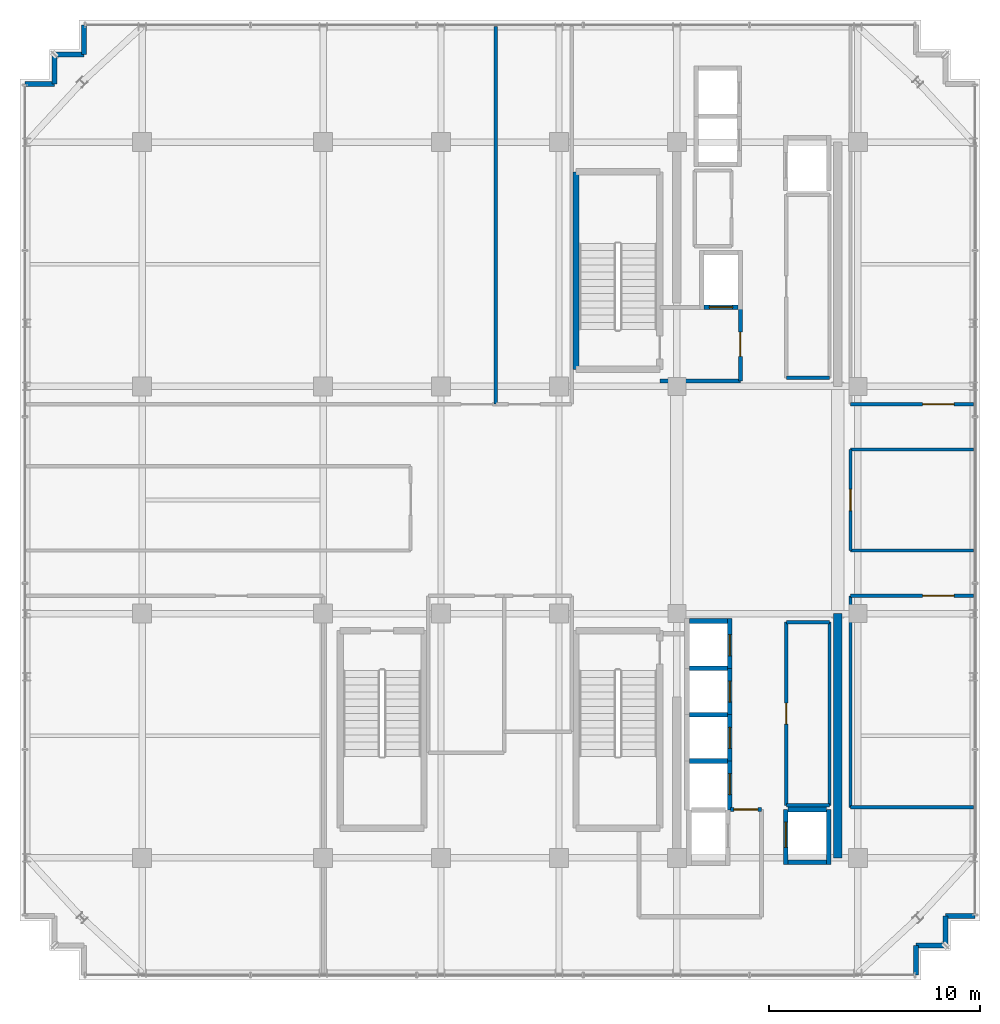
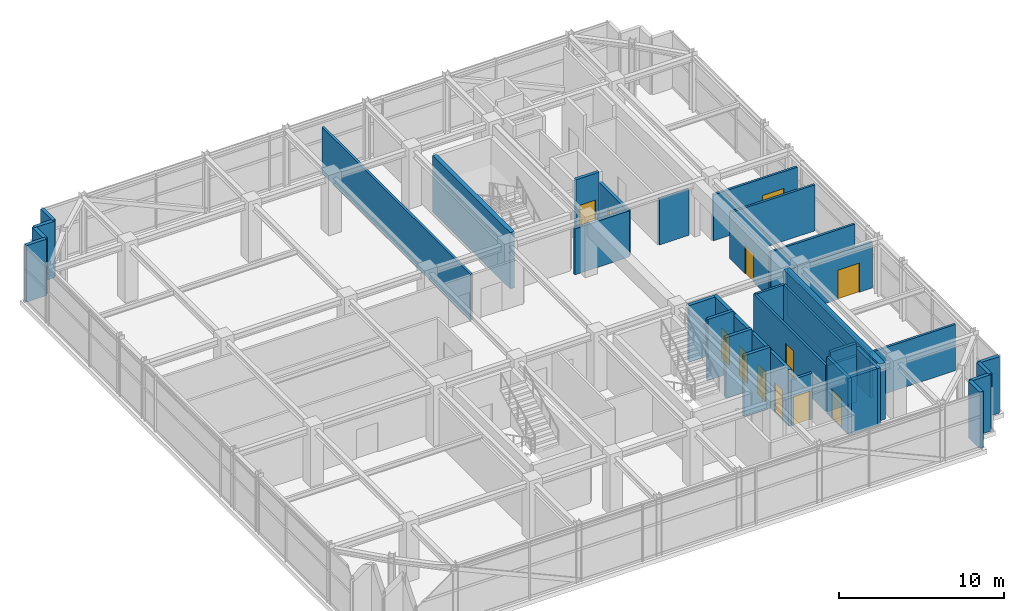
# One storey, part 23 of 26: 39 walls, 12 doors, 12 openings.
"""IFC4 building model written with IfcOpenShell, lengths in metres."""

from ifc_helpers import new_model, si_unit, direction, frame, frame_2d, origin, place, context, subcontext, project, spatial, rectangle, extrude, source, transform, mapped, material, layer, layer_set, type_object, element, fill, save


model = new_model("IFC4")

# Units and contexts
model_context = context("Model", 3, precision=1e-05, world=origin(), true_north=direction((0.0, 1.0)))
body_context = subcontext(model_context, "Body", "Model", "MODEL_VIEW")
ifc_project = project(units=[si_unit("LENGTHUNIT", "METRE"), si_unit("AREAUNIT", "SQUARE_METRE"), si_unit("VOLUMEUNIT", "CUBIC_METRE"), si_unit("PLANEANGLEUNIT", "RADIAN"), si_unit("MASSUNIT", "GRAM", prefix="KILO")], contexts=[model_context])

# Site, building, storey
site_placement = place(None, origin())
site = spatial("IfcSite", under=ifc_project, at=site_placement, CompositionType="ELEMENT")
building_placement = place(site_placement, origin())
building = spatial("IfcBuilding", under=site, at=building_placement, Name="Nahalor Promenade Grand Hotel", CompositionType="ELEMENT")
storey_placement = place(building_placement, frame((0.0, 0.0, 343.050048828125)))
storey = spatial("IfcBuildingStorey", under=building, at=storey_placement, Name="L88", CompositionType="ELEMENT", Elevation=343.050048828125)

# Walls
ifc_material_1 = material(Name="Concrete B-50 (C40/50)", Category="concrete")
ifc_layer_1 = layer(ifc_material_1, 0.39990234375)
ifc_layer_set_1 = layer_set([ifc_layer_1], Name="Concrete B-50 (C40/50)")
wall_type_1 = type_object("IfcWallType", Name="Wall-CoreShear-400", PredefinedType="SHEAR", material=ifc_layer_set_1)
shared_shape_1 = source(origin(), body_context, "Body", "SweptSolid", [
    extrude(rectangle(XDim=11.60009765625, YDim=0.39990234375, at=frame_2d((5.800048828125, 0.0))), origin(), (0.0, 0.0, 1.0), 4.169921875),
])
wall_1_placement = place(storey_placement, frame((16.050048828125, -17.0, 0.0), z_axis=(0.0, 0.0, 1.0), x_axis=(0.0, 1.0, 0.0)))
element("IfcWall", 1, at=wall_1_placement, inside=storey, type_object=wall_type_1, Name="CWALL-L88-SE", PredefinedType="SHEAR", context=body_context, shape_type="MappedRepresentation", body=[
    mapped(shared_shape_1, transform((0.0, 0.0, 0.0), scale=1.0)),
])
ifc_layer_2 = layer(ifc_material_1, 0.300048828125)
ifc_layer_set_2 = layer_set([ifc_layer_2], Name="Concrete B-50 (C40/50)")
wall_type_2 = type_object("IfcWallType", Name="Wall-ShaftShear-300", PredefinedType="SHEAR", material=ifc_layer_set_2)
shared_shape_2 = source(origin(), body_context, "Body", "SweptSolid", [
    extrude(rectangle(XDim=9.380126953125, YDim=0.300048828125, at=frame_2d((4.68994140625, 0.0))), origin(), (0.0, 0.0, 1.0), 4.169921875),
])
wall_2_placement = place(storey_placement, frame((3.610107421875, 6.2099609375, 0.0), z_axis=(0.0, 0.0, 1.0), x_axis=(0.0, 1.0, 0.0)))
element("IfcWall", 2, at=wall_2_placement, inside=storey, type_object=wall_type_2, Name="L88 Exit Stair ST1 Shaft Wall W", PredefinedType="SHEAR", context=body_context, shape_type="MappedRepresentation", body=[
    mapped(shared_shape_2, transform((0.0, 0.0, 0.0), scale=1.0)),
])
ifc_layer_3 = layer(ifc_material_1, 0.219970703125)
ifc_layer_set_3 = layer_set([ifc_layer_3], Name="Concrete B-50 (C40/50)")
wall_type_3 = type_object("IfcWallType", Name="Wall-LiftShaft-220", PredefinedType="SHEAR", material=ifc_layer_set_3)
shared_shape_3 = source(origin(), body_context, "Body", "SweptSolid", [
    extrude(rectangle(XDim=1.820068359375, YDim=0.219970703125, at=frame_2d((0.91015625, 0.0))), origin(), (0.0, 0.0, 1.0), 4.5),
])
for number, where, z_axis, x_axis, name in (
    (3, (8.989990234375, -8.0, 0.0), (0.0, 0.0, 1.0), (1.0, 0.0, 0.0), "L88 Lift PL10 Hoistway Wall N"),
    (4, (8.989990234375, -10.199951171875, 0.0), (0.0, 0.0, 1.0), (1.0, 0.0, 0.0), "L88 Lift PL11 Hoistway Wall N"),
    (5, (8.989990234375, -12.39990234375, 0.0), (0.0, 0.0, 1.0), (1.0, 0.0, 0.0), "L88 Lift PL12 Hoistway Wall N"),
    (6, (13.68994140625, -14.699951171875, 0.0), (0.0, 0.0, 1.0), (1.0, 0.0, 0.0), "L88 Lift SV2 Hoistway Wall N"),
):
    element("IfcWall", number, at=place(storey_placement, frame(where, z_axis=z_axis, x_axis=x_axis)), inside=storey, type_object=wall_type_3, Name=name, PredefinedType="SHEAR", context=body_context, shape_type="MappedRepresentation", body=[
        mapped(shared_shape_3, transform((0.0, 0.0, 0.0), scale=1.0)),
    ])

# Wall, opening, door
shared_shape_4 = source(origin(), body_context, "Body", "SweptSolid", [
    extrude(rectangle(XDim=2.360107421875, YDim=0.219970703125, at=frame_2d((1.18017578125, 0.0))), origin(), (0.0, 0.0, 1.0), 4.169921875),
])
wall_3_placement = place(storey_placement, frame((10.919921875, -8.0, 0.0), z_axis=(0.0, 0.0, 1.0), x_axis=(0.0, 1.0, 0.0)))
wall_3 = element("IfcWall", 7, at=wall_3_placement, inside=storey, type_object=wall_type_3, Name="L88 Lift PL9 Hoistway Wall E", PredefinedType="SHEAR", context=body_context, shape_type="MappedRepresentation", body=[
    mapped(shared_shape_4, transform((0.0, 0.0, 0.0), scale=1.0)),
])
opening_1_placement = place(wall_3_placement, frame((0.60009765625, 0.0, 0.0)))
opening_1 = element("IfcOpeningElement", 8, at=opening_1_placement, cuts=wall_3, Name="Opening LD-01", PredefinedType="OPENING", context=body_context, shape_type="SweptSolid", body=[
    extrude(rectangle(XDim=1.0, YDim=2.199951171875, at=frame_2d((0.5, 1.10009765625))), frame((0.0, 0.119873046875, 0.0), z_axis=(0.0, -1.0, 0.0), x_axis=(1.0, 0.0, 0.0)), (0.0, 0.0, 1.0), 0.239990234375),
])
ifc_material_2 = material(Name="Steel S355JR", Category="steel")
door_type_1 = type_object("IfcDoorType", Name="Door-LiftLanding-1000", OperationType="DOUBLE_DOOR_SLIDING", PredefinedType="DOOR", material=ifc_material_2)
shared_shape_5 = source(origin(), body_context, "Body", "SweptSolid", [
    extrude(rectangle(XDim=1.0, YDim=2.199951171875, at=frame_2d((0.5, 1.10009765625))), frame((0.0, 0.02490234375, 0.0), z_axis=(0.0, -1.0, 0.0), x_axis=(1.0, 0.0, 0.0)), (0.0, 0.0, 1.0), 0.050048828125),
])
door_1_placement = place(opening_1_placement, frame((1.0, 0.0, 0.0), z_axis=(0.0, 0.0, 1.0), x_axis=(-1.0, 0.0, 0.0)))
door_1 = element("IfcDoor", 9, at=door_1_placement, inside=storey, type_object=door_type_1, Name="DR-LIFT-PL9-L88", OperationType="DOUBLE_DOOR_SLIDING", OverallHeight=2.199951171875, OverallWidth=1.0, PredefinedType="DOOR", context=body_context, shape_type="MappedRepresentation", body=[
    mapped(shared_shape_5, transform((0.0, 0.0, 0.0), scale=1.0)),
])
fill(opening_1, door_1)

# Walls
shared_shape_6 = source(origin(), body_context, "Body", "SweptSolid", [
    extrude(rectangle(XDim=1.820068359375, YDim=0.219970703125, at=frame_2d((0.91015625, 0.0))), origin(), (0.0, 0.0, 1.0), 4.169921875),
])
for number, where, z_axis, x_axis, name in (
    (10, (8.989990234375, -5.75, 0.0), (0.0, 0.0, 1.0), (1.0, 0.0, 0.0), "L88 Lift PL9 Hoistway Wall N"),
    (11, (13.68994140625, -17.199951171875, 0.0), (0.0, 0.0, 1.0), (1.0, 0.0, 0.0), "L88 Lift SV2 Hoistway Wall S"),
):
    element("IfcWall", number, at=place(storey_placement, frame(where, z_axis=z_axis, x_axis=x_axis)), inside=storey, type_object=wall_type_3, Name=name, PredefinedType="SHEAR", context=body_context, shape_type="MappedRepresentation", body=[
        mapped(shared_shape_6, transform((0.0, 0.0, 0.0), scale=1.0)),
    ])

# Wall, opening, door
shared_shape_7 = source(origin(), body_context, "Body", "SweptSolid", [
    extrude(rectangle(XDim=2.199951171875, YDim=0.219970703125, at=frame_2d((1.10009765625, 0.0))), origin(), (0.0, 0.0, 1.0), 4.169921875),
])
wall_4_placement = place(storey_placement, frame((10.919921875, -10.199951171875, 0.0), z_axis=(0.0, 0.0, 1.0), x_axis=(0.0, 1.0, 0.0)))
wall_4 = element("IfcWall", 12, at=wall_4_placement, inside=storey, type_object=wall_type_3, Name="L88 Lift PL10 Hoistway Wall E", PredefinedType="SHEAR", context=body_context, shape_type="MappedRepresentation", body=[
    mapped(shared_shape_7, transform((0.0, 0.0, 0.0), scale=1.0)),
])
opening_2_placement = place(wall_4_placement, frame((0.60009765625, 0.0, 0.0)))
opening_2 = element("IfcOpeningElement", 13, at=opening_2_placement, cuts=wall_4, Name="Opening LD-01", PredefinedType="OPENING", context=body_context, shape_type="SweptSolid", body=[
    extrude(rectangle(XDim=1.0, YDim=2.199951171875, at=frame_2d((0.5, 1.10009765625))), frame((0.0, 0.119873046875, 0.0), z_axis=(0.0, -1.0, 0.0), x_axis=(1.0, 0.0, 0.0)), (0.0, 0.0, 1.0), 0.239990234375),
])
door_2_placement = place(opening_2_placement, frame((1.0, 0.0, 0.0), z_axis=(0.0, 0.0, 1.0), x_axis=(-1.0, 0.0, 0.0)))
door_2 = element("IfcDoor", 14, at=door_2_placement, inside=storey, type_object=door_type_1, Name="DR-LIFT-PL10-L88", OperationType="DOUBLE_DOOR_SLIDING", OverallHeight=2.199951171875, OverallWidth=1.0, PredefinedType="DOOR", context=body_context, shape_type="MappedRepresentation", body=[
    mapped(shared_shape_5, transform((0.0, 0.0, 0.0), scale=1.0)),
])
fill(opening_2, door_2)

wall_5_placement = place(storey_placement, frame((10.919921875, -12.39990234375, 0.0), z_axis=(0.0, 0.0, 1.0), x_axis=(0.0, 1.0, 0.0)))
wall_5 = element("IfcWall", 15, at=wall_5_placement, inside=storey, type_object=wall_type_3, Name="L88 Lift PL11 Hoistway Wall E", PredefinedType="SHEAR", context=body_context, shape_type="MappedRepresentation", body=[
    mapped(shared_shape_7, transform((0.0, 0.0, 0.0), scale=1.0)),
])
opening_3_placement = place(wall_5_placement, frame((0.60009765625, 0.0, 0.0)))
opening_3 = element("IfcOpeningElement", 16, at=opening_3_placement, cuts=wall_5, Name="Opening LD-01", PredefinedType="OPENING", context=body_context, shape_type="SweptSolid", body=[
    extrude(rectangle(XDim=1.0, YDim=2.199951171875, at=frame_2d((0.5, 1.10009765625))), frame((0.0, 0.119873046875, 0.0), z_axis=(0.0, -1.0, 0.0), x_axis=(1.0, 0.0, 0.0)), (0.0, 0.0, 1.0), 0.239990234375),
])
door_3_placement = place(opening_3_placement, frame((1.0, 0.0, 0.0), z_axis=(0.0, 0.0, 1.0), x_axis=(-1.0, 0.0, 0.0)))
door_3 = element("IfcDoor", 17, at=door_3_placement, inside=storey, type_object=door_type_1, Name="DR-LIFT-PL11-L88", OperationType="DOUBLE_DOOR_SLIDING", OverallHeight=2.199951171875, OverallWidth=1.0, PredefinedType="DOOR", context=body_context, shape_type="MappedRepresentation", body=[
    mapped(shared_shape_5, transform((0.0, 0.0, 0.0), scale=1.0)),
])
fill(opening_3, door_3)

shared_shape_8 = source(origin(), body_context, "Body", "SweptSolid", [
    extrude(rectangle(XDim=2.3251953125, YDim=0.219970703125, at=frame_2d((1.16259765625, 0.0))), origin(), (0.0, 0.0, 1.0), 4.169921875),
])
wall_6_placement = place(storey_placement, frame((10.919921875, -14.72509765625, 0.0), z_axis=(0.0, 0.0, 1.0), x_axis=(0.0, 1.0, 0.0)))
wall_6 = element("IfcWall", 18, at=wall_6_placement, inside=storey, type_object=wall_type_3, Name="L88 Lift PL12 Hoistway Wall E", PredefinedType="SHEAR", context=body_context, shape_type="MappedRepresentation", body=[
    mapped(shared_shape_8, transform((0.0, 0.0, 0.0), scale=1.0)),
])
opening_4_placement = place(wall_6_placement, frame((0.72509765625, 0.0, 0.0)))
opening_4 = element("IfcOpeningElement", 19, at=opening_4_placement, cuts=wall_6, Name="Opening LD-01", PredefinedType="OPENING", context=body_context, shape_type="SweptSolid", body=[
    extrude(rectangle(XDim=1.0, YDim=2.199951171875, at=frame_2d((0.5, 1.10009765625))), frame((0.0, 0.119873046875, 0.0), z_axis=(0.0, -1.0, 0.0), x_axis=(1.0, 0.0, 0.0)), (0.0, 0.0, 1.0), 0.239990234375),
])
door_4_placement = place(opening_4_placement, frame((1.0, 0.0, 0.0), z_axis=(0.0, 0.0, 1.0), x_axis=(-1.0, 0.0, 0.0)))
door_4 = element("IfcDoor", 20, at=door_4_placement, inside=storey, type_object=door_type_1, Name="DR-LIFT-PL12-L88", OperationType="DOUBLE_DOOR_SLIDING", OverallHeight=2.199951171875, OverallWidth=1.0, PredefinedType="DOOR", context=body_context, shape_type="MappedRepresentation", body=[
    mapped(shared_shape_5, transform((0.0, 0.0, 0.0), scale=1.0)),
])
fill(opening_4, door_4)

shared_shape_9 = source(origin(), body_context, "Body", "SweptSolid", [
    extrude(rectangle(XDim=1.6201171875, YDim=0.219970703125, at=frame_2d((0.81005859375, 0.0))), origin(), (0.0, 0.0, 1.0), 4.169921875),
])
wall_7_placement = place(storey_placement, frame((9.68994140625, 9.14990234375, 0.0), z_axis=(0.0, 0.0, 1.0), x_axis=(1.0, 0.0, 0.0)))
wall_7 = element("IfcWall", 21, at=wall_7_placement, inside=storey, type_object=wall_type_3, Name="L88 Lift FL1 Hoistway Wall S", PredefinedType="SHEAR", context=body_context, shape_type="MappedRepresentation", body=[
    mapped(shared_shape_9, transform((0.0, 0.0, 0.0), scale=1.0)),
])
opening_5_placement = place(wall_7_placement, frame((0.260009765625, 0.0, 0.0)))
opening_5 = element("IfcOpeningElement", 22, at=opening_5_placement, cuts=wall_7, Name="Opening LD-02", PredefinedType="OPENING", context=body_context, shape_type="SweptSolid", body=[
    extrude(rectangle(XDim=1.10009765625, YDim=2.199951171875, at=frame_2d((0.550048828125, 1.10009765625))), frame((0.0, 0.119873046875, 0.0), z_axis=(0.0, -1.0, 0.0), x_axis=(1.0, 0.0, 0.0)), (0.0, 0.0, 1.0), 0.239990234375),
])
door_type_2 = type_object("IfcDoorType", Name="Door-LiftFF-1100", OperationType="DOUBLE_DOOR_SLIDING", PredefinedType="DOOR", material=ifc_material_2)
shared_shape_10 = source(origin(), body_context, "Body", "SweptSolid", [
    extrude(rectangle(XDim=1.10009765625, YDim=2.199951171875, at=frame_2d((0.550048828125, 1.10009765625))), frame((0.0, 0.02490234375, 0.0), z_axis=(0.0, -1.0, 0.0), x_axis=(1.0, 0.0, 0.0)), (0.0, 0.0, 1.0), 0.050048828125),
])
door_5_placement = place(opening_5_placement, frame((1.10009765625, 0.0, 0.0), z_axis=(0.0, 0.0, 1.0), x_axis=(-1.0, 0.0, 0.0)))
door_5 = element("IfcDoor", 23, at=door_5_placement, inside=storey, type_object=door_type_2, Name="DR-LIFT-FL1-L88", OperationType="DOUBLE_DOOR_SLIDING", OverallHeight=2.199951171875, OverallWidth=1.10009765625, PredefinedType="DOOR", context=body_context, shape_type="MappedRepresentation", body=[
    mapped(shared_shape_10, transform((0.0, 0.0, 0.0), scale=1.0)),
])
fill(opening_5, door_5)

shared_shape_11 = source(origin(), body_context, "Body", "SweptSolid", [
    extrude(rectangle(XDim=2.610107421875, YDim=0.219970703125, at=frame_2d((1.30517578125, 0.0))), origin(), (0.0, 0.0, 1.0), 4.169921875),
])
wall_8_placement = place(storey_placement, frame((13.580078125, -17.31005859375, 0.0), z_axis=(0.0, 0.0, 1.0), x_axis=(0.0, 1.0, 0.0)))
wall_8 = element("IfcWall", 24, at=wall_8_placement, inside=storey, type_object=wall_type_3, Name="L88 Lift SV2 Hoistway Wall W", PredefinedType="SHEAR", context=body_context, shape_type="MappedRepresentation", body=[
    mapped(shared_shape_11, transform((0.0, 0.0, 0.0), scale=1.0)),
])
opening_6_placement = place(wall_8_placement, frame((0.81005859375, 0.0, 0.0)))
opening_6 = element("IfcOpeningElement", 25, at=opening_6_placement, cuts=wall_8, Name="Opening LD-03", PredefinedType="OPENING", context=body_context, shape_type="SweptSolid", body=[
    extrude(rectangle(XDim=1.199951171875, YDim=2.199951171875, at=frame_2d((0.60009765625, 1.10009765625))), frame((0.0, 0.119873046875, 0.0), z_axis=(0.0, -1.0, 0.0), x_axis=(1.0, 0.0, 0.0)), (0.0, 0.0, 1.0), 0.239990234375),
])
door_type_3 = type_object("IfcDoorType", Name="Door-LiftService-1200", OperationType="DOUBLE_DOOR_SLIDING", PredefinedType="DOOR", material=ifc_material_2)
shared_shape_12 = source(origin(), body_context, "Body", "SweptSolid", [
    extrude(rectangle(XDim=1.199951171875, YDim=2.199951171875, at=frame_2d((0.60009765625, 1.10009765625))), frame((0.0, 0.02490234375, 0.0), z_axis=(0.0, -1.0, 0.0), x_axis=(1.0, 0.0, 0.0)), (0.0, 0.0, 1.0), 0.050048828125),
])
door_6_placement = place(opening_6_placement, origin())
door_6 = element("IfcDoor", 26, at=door_6_placement, inside=storey, type_object=door_type_3, Name="DR-LIFT-SV2-L88", OperationType="DOUBLE_DOOR_SLIDING", OverallHeight=2.199951171875, OverallWidth=1.199951171875, PredefinedType="DOOR", context=body_context, shape_type="MappedRepresentation", body=[
    mapped(shared_shape_12, transform((0.0, 0.0, 0.0), scale=1.0)),
])
fill(opening_6, door_6)

# Walls
wall_9_placement = place(storey_placement, frame((15.6201171875, -17.31005859375, 0.0), z_axis=(0.0, 0.0, 1.0), x_axis=(0.0, 1.0, 0.0)))
element("IfcWall", 27, at=wall_9_placement, inside=storey, type_object=wall_type_3, Name="L88 Lift SV2 Hoistway Wall E", PredefinedType="SHEAR", context=body_context, shape_type="MappedRepresentation", body=[
    mapped(shared_shape_11, transform((0.0, 0.0, 0.0), scale=1.0)),
])
ifc_material_3 = material(Name="Concrete B-40 (C32/40)", Category="concrete")
ifc_layer_4 = layer(ifc_material_3, 0.25)
ifc_layer_set_4 = layer_set([ifc_layer_4], Name="Concrete B-40 (C32/40)")
wall_type_4 = type_object("IfcWallType", Name="Wall-BronzePier-250", PredefinedType="STANDARD", material=ifc_layer_set_4)
shared_shape_13 = source(origin(), body_context, "Body", "SweptSolid", [
    extrude(rectangle(XDim=1.400146484375, YDim=0.25, at=frame_2d((0.7001953125, 0.0))), origin(), (0.0, 0.0, 1.0), 4.169921875),
])
for number, where, z_axis, x_axis, name in (
    (28, (19.760009765625, -22.56005859375, 0.0), (0.0, 0.0, 1.0), (0.0, 1.0, 0.0), "W-L88-SR-01"),
    (29, (21.159912109375, -19.760009765625, 0.0), (0.0, 0.0, 1.0), (1.0, 0.0, 0.0), "W-L88-SR-04"),
    (30, (-19.760009765625, 21.159912109375, 0.0), (0.0, 0.0, 1.0), (0.0, 1.0, 0.0), "W-L88-SR-09"),
    (31, (-22.56005859375, 19.760009765625, 0.0), (0.0, 0.0, 1.0), (1.0, 0.0, 0.0), "W-L88-SR-12"),
):
    element("IfcWall", number, at=place(storey_placement, frame(where, z_axis=z_axis, x_axis=x_axis)), inside=storey, type_object=wall_type_4, Name=name, PredefinedType="STANDARD", context=body_context, shape_type="MappedRepresentation", body=[
        mapped(shared_shape_13, transform((0.0, 0.0, 0.0), scale=1.0)),
    ])
shared_shape_14 = source(origin(), body_context, "Body", "SweptSolid", [
    extrude(rectangle(XDim=1.39990234375, YDim=0.25, at=frame_2d((0.699951171875, 0.0))), origin(), (0.0, 0.0, 1.0), 4.169921875),
])
for number, where, z_axis, x_axis, name in (
    (32, (19.760009765625, -21.159912109375, 0.0), (0.0, 0.0, 1.0), (1.0, 0.0, 0.0), "W-L88-SR-02"),
    (33, (21.159912109375, -21.159912109375, 0.0), (0.0, 0.0, 1.0), (0.0, 1.0, 0.0), "W-L88-SR-03"),
    (34, (-21.159912109375, 21.159912109375, 0.0), (0.0, 0.0, 1.0), (1.0, 0.0, 0.0), "W-L88-SR-10"),
    (35, (-21.159912109375, 19.760009765625, 0.0), (0.0, 0.0, 1.0), (0.0, 1.0, 0.0), "W-L88-SR-11"),
):
    element("IfcWall", number, at=place(storey_placement, frame(where, z_axis=z_axis, x_axis=x_axis)), inside=storey, type_object=wall_type_4, Name=name, PredefinedType="STANDARD", context=body_context, shape_type="MappedRepresentation", body=[
        mapped(shared_shape_14, transform((0.0, 0.0, 0.0), scale=1.0)),
    ])
ifc_layer_5 = layer(ifc_material_3, 0.199951171875)
ifc_layer_set_5 = layer_set([ifc_layer_5], Name="Concrete B-40 (C32/40)")
wall_type_5 = type_object("IfcWallType", Name="Wall-PartFire-200", PredefinedType="PARTITIONING", material=ifc_layer_set_5)
shared_shape_15 = source(origin(), body_context, "Body", "SweptSolid", [
    extrude(rectangle(XDim=3.81982421875, YDim=0.199951171875, at=frame_2d((1.909912109375, 0.0))), origin(), (0.0, 0.0, 1.0), 3.39990234375),
])
wall_10_placement = place(storey_placement, frame((7.60009765625, 5.64990234375, 0.0), z_axis=(0.0, 0.0, 1.0), x_axis=(1.0, 0.0, 0.0)))
element("IfcWall", 36, at=wall_10_placement, inside=storey, type_object=wall_type_5, Name="W-L88-FF1-S", PredefinedType="PARTITIONING", context=body_context, shape_type="MappedRepresentation", body=[
    mapped(shared_shape_15, transform((0.0, 0.0, 0.0), scale=1.0)),
])

# Wall, opening, door
shared_shape_16 = source(origin(), body_context, "Body", "SweptSolid", [
    extrude(rectangle(XDim=3.5, YDim=0.199951171875, at=frame_2d((1.75, 0.0))), origin(), (0.0, 0.0, 1.0), 3.39990234375),
])
wall_11_placement = place(storey_placement, frame((11.419921875, 5.64990234375, 0.0), z_axis=(0.0, 0.0, 1.0), x_axis=(0.0, 1.0, 0.0)))
wall_11 = element("IfcWall", 37, at=wall_11_placement, inside=storey, type_object=wall_type_5, Name="W-L88-FF1-E", PredefinedType="PARTITIONING", context=body_context, shape_type="MappedRepresentation", body=[
    mapped(shared_shape_16, transform((0.0, 0.0, 0.0), scale=1.0)),
])
opening_7_placement = place(wall_11_placement, frame((1.175048828125, 0.0, 0.0)))
opening_7 = element("IfcOpeningElement", 38, at=opening_7_placement, cuts=wall_11, Name="Opening D-FF1", PredefinedType="OPENING", context=body_context, shape_type="SweptSolid", body=[
    extrude(rectangle(XDim=1.14990234375, YDim=2.14990234375, at=frame_2d((0.574951171875, 1.074951171875))), frame((0.0, 0.10986328125, 0.0), z_axis=(0.0, -1.0, 0.0), x_axis=(1.0, 0.0, 0.0)), (0.0, 0.0, 1.0), 0.219970703125),
])
door_type_4 = type_object("IfcDoorType", Name="Door-FFLobby-1150", OperationType="NOTDEFINED", PredefinedType="DOOR", material=ifc_material_2)
shared_shape_17 = source(origin(), body_context, "Body", "SweptSolid", [
    extrude(rectangle(XDim=1.14990234375, YDim=2.14990234375, at=frame_2d((0.574951171875, 1.074951171875))), frame((0.0, 0.02490234375, 0.0), z_axis=(0.0, -1.0, 0.0), x_axis=(1.0, 0.0, 0.0)), (0.0, 0.0, 1.0), 0.050048828125),
])
door_7_placement = place(opening_7_placement, frame((1.14990234375, 0.0, 0.0), z_axis=(0.0, 0.0, 1.0), x_axis=(-1.0, 0.0, 0.0)))
door_7 = element("IfcDoor", 39, at=door_7_placement, inside=storey, type_object=door_type_4, Name="DR-L88-FFL1", OperationType="SINGLE_SWING_LEFT", OverallHeight=2.14990234375, OverallWidth=1.14990234375, PredefinedType="DOOR", context=body_context, shape_type="MappedRepresentation", body=[
    mapped(shared_shape_17, transform((0.0, 0.0, 0.0), scale=1.0)),
])
fill(opening_7, door_7)

shared_shape_18 = source(origin(), body_context, "Body", "SweptSolid", [
    extrude(rectangle(XDim=1.4599609375, YDim=0.199951171875, at=frame_2d((0.72998046875, 0.0))), origin(), (0.0, 0.0, 1.0), 3.39990234375),
])
wall_12_placement = place(storey_placement, frame((10.9599609375, -14.699951171875, 0.0), z_axis=(0.0, 0.0, 1.0), x_axis=(1.0, 0.0, 0.0)))
wall_12 = element("IfcWall", 40, at=wall_12_placement, inside=storey, type_object=wall_type_5, Name="W-L88-FF2-N1", PredefinedType="PARTITIONING", context=body_context, shape_type="MappedRepresentation", body=[
    mapped(shared_shape_18, transform((0.0, 0.0, 0.0), scale=1.0)),
])
opening_8_placement = place(wall_12_placement, frame((0.14501953125, 0.0, 0.0)))
opening_8 = element("IfcOpeningElement", 41, at=opening_8_placement, cuts=wall_12, Name="Opening D-FF1", PredefinedType="OPENING", context=body_context, shape_type="SweptSolid", body=[
    extrude(rectangle(XDim=1.14990234375, YDim=2.14990234375, at=frame_2d((0.574951171875, 1.074951171875))), frame((0.0, 0.10986328125, 0.0), z_axis=(0.0, -1.0, 0.0), x_axis=(1.0, 0.0, 0.0)), (0.0, 0.0, 1.0), 0.219970703125),
])
door_8_placement = place(opening_8_placement, origin())
door_8 = element("IfcDoor", 42, at=door_8_placement, inside=storey, type_object=door_type_4, Name="DR-L88-FFL2", OperationType="SINGLE_SWING_RIGHT", OverallHeight=2.14990234375, OverallWidth=1.14990234375, PredefinedType="DOOR", context=body_context, shape_type="MappedRepresentation", body=[
    mapped(shared_shape_17, transform((0.0, 0.0, 0.0), scale=1.0)),
])
fill(opening_8, door_8)

ifc_material_4 = material(Name="Acoustic Mineral Gypsum", Category="gypsum")
ifc_layer_6 = layer(ifc_material_4, 0.159912109375)
ifc_layer_set_6 = layer_set([ifc_layer_6], Name="Acoustic Mineral Gypsum")
wall_type_6 = type_object("IfcWallType", Name="Wall-PartCorridor-160", PredefinedType="PARTITIONING", material=ifc_layer_set_6)
shared_shape_19 = source(origin(), body_context, "Body", "SweptSolid", [
    extrude(rectangle(XDim=4.7998046875, YDim=0.159912109375, at=frame_2d((2.39990234375, 0.0))), origin(), (0.0, 0.0, 1.0), 3.39990234375),
])
wall_13_placement = place(storey_placement, frame((16.64990234375, -2.39990234375, 0.0), z_axis=(0.0, 0.0, 1.0), x_axis=(0.0, 1.0, 0.0)))
wall_13 = element("IfcWall", 43, at=wall_13_placement, inside=storey, type_object=wall_type_6, Name="W-L88-SK02-W", PredefinedType="PARTITIONING", context=body_context, shape_type="MappedRepresentation", body=[
    mapped(shared_shape_19, transform((0.0, 0.0, 0.0), scale=1.0)),
])
opening_9_placement = place(wall_13_placement, frame((1.89990234375, 0.0, 0.0)))
opening_9 = element("IfcOpeningElement", 44, at=opening_9_placement, cuts=wall_13, Name="Opening D-04", PredefinedType="OPENING", context=body_context, shape_type="SweptSolid", body=[
    extrude(rectangle(XDim=1.0, YDim=2.10009765625, at=frame_2d((0.5, 1.050048828125))), frame((0.0, 0.08984375, 0.0), z_axis=(0.0, -1.0, 0.0), x_axis=(1.0, 0.0, 0.0)), (0.0, 0.0, 1.0), 0.179931640625),
])
door_type_5 = type_object("IfcDoorType", Name="Door-ServiceFire-1000", OperationType="NOTDEFINED", PredefinedType="DOOR", material=ifc_material_2)
shared_shape_20 = source(origin(), body_context, "Body", "SweptSolid", [
    extrude(rectangle(XDim=1.0, YDim=2.10009765625, at=frame_2d((0.5, 1.050048828125))), frame((0.0, 0.02490234375, 0.0), z_axis=(0.0, -1.0, 0.0), x_axis=(1.0, 0.0, 0.0)), (0.0, 0.0, 1.0), 0.050048828125),
])
door_9_placement = place(opening_9_placement, frame((1.0, 0.0, 0.0), z_axis=(0.0, 0.0, 1.0), x_axis=(-1.0, 0.0, 0.0)))
door_9 = element("IfcDoor", 45, at=door_9_placement, inside=storey, type_object=door_type_5, Name="DR-L88-SK02", OperationType="SINGLE_SWING_RIGHT", OverallHeight=2.10009765625, OverallWidth=1.0, PredefinedType="DOOR", context=body_context, shape_type="MappedRepresentation", body=[
    mapped(shared_shape_20, transform((0.0, 0.0, 0.0), scale=1.0)),
])
fill(opening_9, door_9)

# Walls
shared_shape_21 = source(origin(), body_context, "Body", "SweptSolid", [
    extrude(rectangle(XDim=2.0498046875, YDim=0.159912109375, at=frame_2d((1.02490234375, 0.0))), origin(), (0.0, 0.0, 1.0), 3.39990234375),
])
for number, where, z_axis, x_axis, name in (
    (46, (13.60009765625, 5.800048828125, 0.0), (0.0, 0.0, 1.0), (1.0, 0.0, 0.0), "W-L88-FRB1-S"),
    (47, (13.60009765625, -14.5, 0.0), (0.0, 0.0, 1.0), (1.0, 0.0, 0.0), "W-L88-FRB2-S"),
    (48, (13.60009765625, -5.800048828125, 0.0), (0.0, 0.0, 1.0), (1.0, 0.0, 0.0), "W-L88-FRB2-N"),
):
    element("IfcWall", number, at=place(storey_placement, frame(where, z_axis=z_axis, x_axis=x_axis)), inside=storey, type_object=wall_type_6, Name=name, PredefinedType="PARTITIONING", context=body_context, shape_type="MappedRepresentation", body=[
        mapped(shared_shape_21, transform((0.0, 0.0, 0.0), scale=1.0)),
    ])
shared_shape_22 = source(origin(), body_context, "Body", "SweptSolid", [
    extrude(rectangle(XDim=5.85009765625, YDim=0.159912109375, at=frame_2d((2.925048828125, 0.0))), origin(), (0.0, 0.0, 1.0), 3.39990234375),
])
for number, where, z_axis, x_axis, name in (
    (49, (16.64990234375, -2.39990234375, 0.0), (0.0, 0.0, 1.0), (1.0, 0.0, 0.0), "W-L88-SK02-S"),
    (50, (16.64990234375, 2.39990234375, 0.0), (0.0, 0.0, 1.0), (1.0, 0.0, 0.0), "W-L88-SK02-N"),
):
    element("IfcWall", number, at=place(storey_placement, frame(where, z_axis=z_axis, x_axis=x_axis)), inside=storey, type_object=wall_type_6, Name=name, PredefinedType="PARTITIONING", context=body_context, shape_type="MappedRepresentation", body=[
        mapped(shared_shape_22, transform((0.0, 0.0, 0.0), scale=1.0)),
    ])

# Wall, opening, door
wall_14_placement = place(storey_placement, frame((16.64990234375, 4.550048828125, 0.0), z_axis=(0.0, 0.0, 1.0), x_axis=(1.0, 0.0, 0.0)))
wall_14 = element("IfcWall", 51, at=wall_14_placement, inside=storey, type_object=wall_type_6, Name="W-L88-SK06-S", PredefinedType="PARTITIONING", context=body_context, shape_type="MappedRepresentation", body=[
    mapped(shared_shape_22, transform((0.0, 0.0, 0.0), scale=1.0)),
])
opening_10_placement = place(wall_14_placement, frame((3.419921875, 0.0, 0.0)))
opening_10 = element("IfcOpeningElement", 52, at=opening_10_placement, cuts=wall_14, Name="Opening D-02", PredefinedType="OPENING", context=body_context, shape_type="SweptSolid", body=[
    extrude(rectangle(XDim=1.5, YDim=2.14990234375, at=frame_2d((0.75, 1.074951171875))), frame((0.0, 0.08984375, 0.0), z_axis=(0.0, -1.0, 0.0), x_axis=(1.0, 0.0, 0.0)), (0.0, 0.0, 1.0), 0.179931640625),
])
ifc_material_5 = material(Name="Fire-Rated Timber Composite", Category="wood")
door_type_6 = type_object("IfcDoorType", Name="Door-SuiteDouble-1500", OperationType="DOUBLE_DOOR_SINGLE_SWING", PredefinedType="DOOR", material=ifc_material_5)
shared_shape_23 = source(origin(), body_context, "Body", "SweptSolid", [
    extrude(rectangle(XDim=1.5, YDim=2.14990234375, at=frame_2d((0.75, 1.074951171875))), frame((0.0, 0.02490234375, 0.0), z_axis=(0.0, -1.0, 0.0), x_axis=(1.0, 0.0, 0.0)), (0.0, 0.0, 1.0), 0.050048828125),
])
door_10_placement = place(opening_10_placement, origin())
door_10 = element("IfcDoor", 53, at=door_10_placement, inside=storey, type_object=door_type_6, Name="DR-L88-SK06", OperationType="DOUBLE_DOOR_SINGLE_SWING", OverallHeight=2.14990234375, OverallWidth=1.5, PredefinedType="DOOR", context=body_context, shape_type="MappedRepresentation", body=[
    mapped(shared_shape_23, transform((0.0, 0.0, 0.0), scale=1.0)),
])
fill(opening_10, door_10)

# Wall
wall_15_placement = place(storey_placement, frame((16.64990234375, -14.60009765625, 0.0), z_axis=(0.0, 0.0, 1.0), x_axis=(1.0, 0.0, 0.0)))
element("IfcWall", 54, at=wall_15_placement, inside=storey, type_object=wall_type_6, Name="W-L88-SK07-S", PredefinedType="PARTITIONING", context=body_context, shape_type="MappedRepresentation", body=[
    mapped(shared_shape_22, transform((0.0, 0.0, 0.0), scale=1.0)),
])

# Wall, opening, door
wall_16_placement = place(storey_placement, frame((16.64990234375, -4.550048828125, 0.0), z_axis=(0.0, 0.0, 1.0), x_axis=(1.0, 0.0, 0.0)))
wall_16 = element("IfcWall", 55, at=wall_16_placement, inside=storey, type_object=wall_type_6, Name="W-L88-SK07-N", PredefinedType="PARTITIONING", context=body_context, shape_type="MappedRepresentation", body=[
    mapped(shared_shape_22, transform((0.0, 0.0, 0.0), scale=1.0)),
])
opening_11_placement = place(wall_16_placement, frame((3.419921875, 0.0, 0.0)))
opening_11 = element("IfcOpeningElement", 56, at=opening_11_placement, cuts=wall_16, Name="Opening D-02", PredefinedType="OPENING", context=body_context, shape_type="SweptSolid", body=[
    extrude(rectangle(XDim=1.5, YDim=2.14990234375, at=frame_2d((0.75, 1.074951171875))), frame((0.0, 0.08984375, 0.0), z_axis=(0.0, -1.0, 0.0), x_axis=(1.0, 0.0, 0.0)), (0.0, 0.0, 1.0), 0.179931640625),
])
door_11_placement = place(opening_11_placement, frame((1.5, 0.0, 0.0), z_axis=(0.0, 0.0, 1.0), x_axis=(-1.0, 0.0, 0.0)))
door_11 = element("IfcDoor", 57, at=door_11_placement, inside=storey, type_object=door_type_6, Name="DR-L88-SK07", OperationType="DOUBLE_DOOR_SINGLE_SWING", OverallHeight=2.14990234375, OverallWidth=1.5, PredefinedType="DOOR", context=body_context, shape_type="MappedRepresentation", body=[
    mapped(shared_shape_23, transform((0.0, 0.0, 0.0), scale=1.0)),
])
fill(opening_11, door_11)

# Walls
shared_shape_24 = source(origin(), body_context, "Body", "SweptSolid", [
    extrude(rectangle(XDim=17.949951171875, YDim=0.159912109375, at=frame_2d((8.97509765625, 0.0))), origin(), (0.0, 0.0, 1.0), 3.39990234375),
])
wall_17_placement = place(storey_placement, frame((-0.199951171875, 4.550048828125, 0.0), z_axis=(0.0, 0.0, 1.0), x_axis=(0.0, 1.0, 0.0)))
element("IfcWall", 58, at=wall_17_placement, inside=storey, type_object=wall_type_6, Name="W-L88-SK03-E", PredefinedType="PARTITIONING", context=body_context, shape_type="MappedRepresentation", body=[
    mapped(shared_shape_24, transform((0.0, 0.0, 0.0), scale=1.0)),
])
shared_shape_25 = source(origin(), body_context, "Body", "SweptSolid", [
    extrude(rectangle(XDim=10.050048828125, YDim=0.159912109375, at=frame_2d((5.02490234375, 0.0))), origin(), (0.0, 0.0, 1.0), 3.39990234375),
])
wall_18_placement = place(storey_placement, frame((16.64990234375, -14.60009765625, 0.0), z_axis=(0.0, 0.0, 1.0), x_axis=(0.0, 1.0, 0.0)))
element("IfcWall", 59, at=wall_18_placement, inside=storey, type_object=wall_type_6, Name="W-L88-SK07-W", PredefinedType="PARTITIONING", context=body_context, shape_type="MappedRepresentation", body=[
    mapped(shared_shape_25, transform((0.0, 0.0, 0.0), scale=1.0)),
])

# Wall, opening, door
shared_shape_26 = source(origin(), body_context, "Body", "SweptSolid", [
    extrude(rectangle(XDim=8.699951171875, YDim=0.159912109375, at=frame_2d((4.35009765625, 0.0))), origin(), (0.0, 0.0, 1.0), 3.39990234375),
])
wall_19_placement = place(storey_placement, frame((13.60009765625, -14.5, 0.0), z_axis=(0.0, 0.0, 1.0), x_axis=(0.0, 1.0, 0.0)))
wall_19 = element("IfcWall", 60, at=wall_19_placement, inside=storey, type_object=wall_type_6, Name="W-L88-FRB2-W", PredefinedType="PARTITIONING", context=body_context, shape_type="MappedRepresentation", body=[
    mapped(shared_shape_26, transform((0.0, 0.0, 0.0), scale=1.0)),
])
opening_12_placement = place(wall_19_placement, frame((3.85009765625, 0.0, 0.0)))
opening_12 = element("IfcOpeningElement", 61, at=opening_12_placement, cuts=wall_19, Name="Opening D-04", PredefinedType="OPENING", context=body_context, shape_type="SweptSolid", body=[
    extrude(rectangle(XDim=1.0, YDim=2.10009765625, at=frame_2d((0.5, 1.050048828125))), frame((0.0, 0.08984375, 0.0), z_axis=(0.0, -1.0, 0.0), x_axis=(1.0, 0.0, 0.0)), (0.0, 0.0, 1.0), 0.179931640625),
])
door_12_placement = place(opening_12_placement, frame((1.0, 0.0, 0.0), z_axis=(0.0, 0.0, 1.0), x_axis=(-1.0, 0.0, 0.0)))
door_12 = element("IfcDoor", 62, at=door_12_placement, inside=storey, type_object=door_type_5, Name="DR-L88-FRB2", OperationType="SINGLE_SWING_LEFT", OverallHeight=2.10009765625, OverallWidth=1.0, PredefinedType="DOOR", context=body_context, shape_type="MappedRepresentation", body=[
    mapped(shared_shape_20, transform((0.0, 0.0, 0.0), scale=1.0)),
])
fill(opening_12, door_12)

# Wall
wall_20_placement = place(storey_placement, frame((15.64990234375, -14.5, 0.0), z_axis=(0.0, 0.0, 1.0), x_axis=(0.0, 1.0, 0.0)))
element("IfcWall", 63, at=wall_20_placement, inside=storey, type_object=wall_type_6, Name="W-L88-FRB2-E", PredefinedType="PARTITIONING", context=body_context, shape_type="MappedRepresentation", body=[
    mapped(shared_shape_26, transform((0.0, 0.0, 0.0), scale=1.0)),
])

save(model, "model.ifc")
